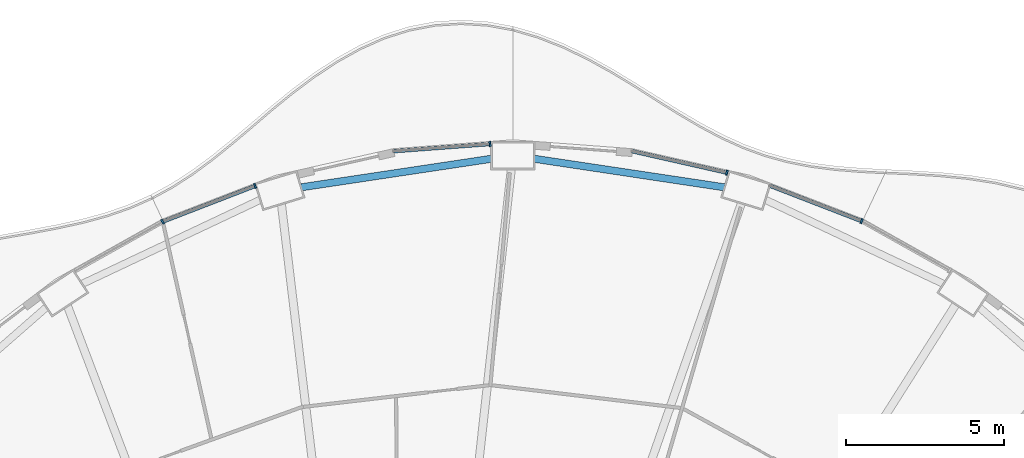
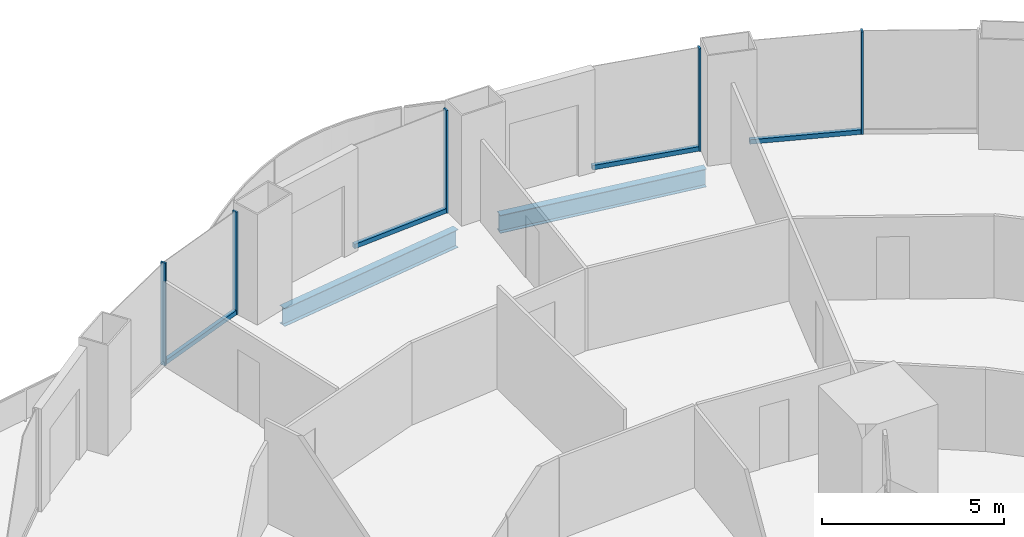
# One storey, part 11 of 22: 9 members, 2 beams, 5 elements without a shape of their own.
"""IFC4 building model written with IfcOpenShell, lengths in metres."""

from ifc_helpers import new_model, si_unit, direction, frame, origin, origin_2d, place, context, subcontext, project, spatial, rectangle, i_section, extrude, material, layer, layer_set, material_profile, profile_set, type_object, element, aggregate, save


model = new_model("IFC4")

# Units and contexts
model_context = context("Model", 3, precision=1e-05, world=origin(), true_north=direction((0.0, 1.0)))
body_context = subcontext(model_context, "Body", "Model", "MODEL_VIEW")
ifc_project = project(units=[si_unit("LENGTHUNIT", "METRE"), si_unit("AREAUNIT", "SQUARE_METRE"), si_unit("VOLUMEUNIT", "CUBIC_METRE"), si_unit("PLANEANGLEUNIT", "RADIAN"), si_unit("MASSUNIT", "GRAM", prefix="KILO")], contexts=[model_context])

# Site, building, storey
site_placement = place(None, origin())
site = spatial("IfcSite", under=ifc_project, at=site_placement, CompositionType="ELEMENT")
building_placement = place(site_placement, origin())
building = spatial("IfcBuilding", under=site, at=building_placement, Name="Nagisa Residences", CompositionType="ELEMENT")
storey_placement = place(building_placement, frame((0.0, 0.0, 41.800048828125)))
storey = spatial("IfcBuildingStorey", under=building, at=storey_placement, Name="L09", CompositionType="ELEMENT", Elevation=41.800048828125)

# Curtain wall, member
ifc_material_1 = material(Name="Concrete-coloured aluminium curtain wall system", Category="concrete")
ifc_layer = layer(ifc_material_1, 0.159912109375)
ifc_layer_set = layer_set([ifc_layer], Name="CW1 CURTAIN WALL")
curtain_wall_type = type_object("IfcCurtainWallType", Name="CW1 CURTAIN WALL", PredefinedType="NOTDEFINED", material=ifc_layer_set)
curtain_wall_1_placement = place(storey_placement, origin())
curtain_wall_1 = element("IfcCurtainWall", 1, at=curtain_wall_1_placement, inside=storey, type_object=curtain_wall_type, Name="cw:CW1:L09:09", PredefinedType="NOTDEFINED")
ifc_material_2 = material(Name="Concrete-coloured aluminium", Category="concrete")
ifc_material_profile_1 = material_profile(ifc_material_2, rectangle(XDim=0.159912109375, YDim=0.06005859375, at=origin_2d()), Name="CW1 MULLION 160x60")
ifc_profile_set_1 = profile_set([ifc_material_profile_1], Name="Concrete-coloured aluminium")
member_type_1 = type_object("IfcMemberType", Name="CW1 MULLION 160x60", PredefinedType="MULLION", material=ifc_profile_set_1)
member_1_placement = place(storey_placement, frame((14.64111328125, 30.42431640625, 0.0), z_axis=(0.0, 0.0, 1.0), x_axis=(-0.360327770268, -0.932825759707, 0.0)))
member_1 = element("IfcMember", 2, at=member_1_placement, type_object=member_type_1, Name="CW1 mullion", PredefinedType="MULLION", context=body_context, shape_type="SweptSolid", body=[
    extrude(rectangle(XDim=0.159912109375, YDim=0.06005859375, at=origin_2d()), origin(), (0.0, 0.0, 1.0), 3.43994140625),
])

curtain_wall_2_placement = place(storey_placement, origin())
curtain_wall_2 = element("IfcCurtainWall", 3, at=curtain_wall_2_placement, inside=storey, type_object=curtain_wall_type, Name="cw:CW1:L09:10", PredefinedType="NOTDEFINED")
member_2_placement = place(storey_placement, frame((10.376220703125, 31.958740234375, 0.0), z_axis=(0.0, 0.0, 1.0), x_axis=(-0.2207639201, -0.975327274089, 0.0)))
member_2 = element("IfcMember", 4, at=member_2_placement, type_object=member_type_1, Name="CW1 mullion", PredefinedType="MULLION", context=body_context, shape_type="SweptSolid", body=[
    extrude(rectangle(XDim=0.159912109375, YDim=0.06005859375, at=origin_2d()), origin(), (0.0, 0.0, 1.0), 3.43994140625),
])

curtain_wall_3_placement = place(storey_placement, origin())
curtain_wall_3 = element("IfcCurtainWall", 5, at=curtain_wall_3_placement, inside=storey, type_object=curtain_wall_type, Name="cw:CW1:L09:12", PredefinedType="NOTDEFINED")
member_3_placement = place(storey_placement, frame((2.8779296875, 32.865966796875, 0.0), z_axis=(0.0, 0.0, 1.0), x_axis=(0.074377355493, -0.997230168512, 0.0)))
member_3 = element("IfcMember", 6, at=member_3_placement, type_object=member_type_1, Name="CW1 mullion", PredefinedType="MULLION", context=body_context, shape_type="SweptSolid", body=[
    extrude(rectangle(XDim=0.159912109375, YDim=0.06005859375, at=origin_2d()), origin(), (0.0, 0.0, 1.0), 3.43994140625),
])

curtain_wall_4_placement = place(storey_placement, origin())
curtain_wall_4 = element("IfcCurtainWall", 7, at=curtain_wall_4_placement, inside=storey, type_object=curtain_wall_type, Name="cw:CW1:L09:14", PredefinedType="NOTDEFINED")
member_4_placement = place(storey_placement, frame((-4.557861328125, 31.537841796875, 0.0), z_axis=(0.0, 0.0, 1.0), x_axis=(0.360327770268, -0.932825759707, 0.0)))
member_4 = element("IfcMember", 8, at=member_4_placement, type_object=member_type_1, Name="CW1 mullion", PredefinedType="MULLION", context=body_context, shape_type="SweptSolid", body=[
    extrude(rectangle(XDim=0.159912109375, YDim=0.06005859375, at=origin_2d()), origin(), (0.0, 0.0, 1.0), 3.43994140625),
])

curtain_wall_5_placement = place(storey_placement, origin())
curtain_wall_5 = element("IfcCurtainWall", 9, at=curtain_wall_5_placement, inside=storey, type_object=curtain_wall_type, Name="cw:CW1:L09:15", PredefinedType="NOTDEFINED")
member_5_placement = place(storey_placement, frame((-7.48486328125, 30.403564453125, 0.0), z_axis=(0.0, 0.0, 1.0), x_axis=(0.489376918501, -0.872072377523, 0.0)))
member_5 = element("IfcMember", 10, at=member_5_placement, type_object=member_type_1, Name="CW1 mullion", PredefinedType="MULLION", context=body_context, shape_type="SweptSolid", body=[
    extrude(rectangle(XDim=0.159912109375, YDim=0.06005859375, at=origin_2d()), origin(), (0.0, 0.0, 1.0), 3.43994140625),
])
aggregate(curtain_wall_5, [member_5])

# Member
ifc_material_3 = material(Name="Concrete-coloured aluminium", Category="concrete")
ifc_material_profile_2 = material_profile(ifc_material_3, rectangle(XDim=0.1201171875, YDim=0.14990234375, at=origin_2d()), Name="CW1 TRANSOM 120x150")
ifc_profile_set_2 = profile_set([ifc_material_profile_2], Name="Concrete-coloured aluminium")
member_type_2 = type_object("IfcMemberType", Name="CW1 TRANSOM 120x150", PredefinedType="USERDEFINED", material=ifc_profile_set_2)
member_6_placement = place(storey_placement, frame((14.6689453125, 30.413330078125, 0.074951171875), z_axis=(-0.932825366452, 0.360328788337, 0.0), x_axis=(-0.360328788337, -0.932825366452, 0.0)))
member_6 = element("IfcMember", 11, at=member_6_placement, type_object=member_type_2, Name="CW1 transom", ObjectType="TRANSOM", PredefinedType="USERDEFINED", context=body_context, shape_type="SweptSolid", body=[
    extrude(rectangle(XDim=0.1201171875, YDim=0.14990234375, at=origin_2d()), origin(), (0.0, 0.0, 1.0), 3.150634765625),
])

aggregate(curtain_wall_1, [member_1, member_6])

member_7_placement = place(storey_placement, frame((10.4052734375, 31.9521484375, 0.074951171875), z_axis=(-0.975331134677, 0.220746863466, 0.0), x_axis=(-0.220746863466, -0.975331134677, 0.0)))
member_7 = element("IfcMember", 12, at=member_7_placement, type_object=member_type_2, Name="CW1 transom", ObjectType="TRANSOM", PredefinedType="USERDEFINED", context=body_context, shape_type="SweptSolid", body=[
    extrude(rectangle(XDim=0.1201171875, YDim=0.14990234375, at=origin_2d()), origin(), (0.0, 0.0, 1.0), 3.114501953125),
])

aggregate(curtain_wall_2, [member_2, member_7])

member_8_placement = place(storey_placement, frame((2.907958984375, 32.8681640625, 0.074951171875), z_axis=(-0.997230834878, -0.074368420505, 0.0), x_axis=(0.074368420505, -0.997230834878, 0.0)))
member_8 = element("IfcMember", 13, at=member_8_placement, type_object=member_type_2, Name="CW1 transom", ObjectType="TRANSOM", PredefinedType="USERDEFINED", context=body_context, shape_type="SweptSolid", body=[
    extrude(rectangle(XDim=0.1201171875, YDim=0.14990234375, at=origin_2d()), origin(), (0.0, 0.0, 1.0), 3.095703125),
])

aggregate(curtain_wall_3, [member_3, member_8])

member_9_placement = place(storey_placement, frame((-4.52978515625, 31.548583984375, 0.074951171875), z_axis=(-0.932835426425, -0.360302743822, 0.0), x_axis=(0.360302743822, -0.932835426425, 0.0)))
member_9 = element("IfcMember", 14, at=member_9_placement, type_object=member_type_2, Name="CW1 transom", ObjectType="TRANSOM", PredefinedType="USERDEFINED", context=body_context, shape_type="SweptSolid", body=[
    extrude(rectangle(XDim=0.1201171875, YDim=0.14990234375, at=origin_2d()), origin(), (0.0, 0.0, 1.0), 3.15087890625),
])

aggregate(curtain_wall_4, [member_4, member_9])

# Beams
ifc_material_4 = material(Name="Steel ASTM A572 Gr 50", Category="steel")
ifc_material_profile_3 = material_profile(ifc_material_4, i_section(OverallWidth=0.22802734375, OverallDepth=0.60302734375, WebThickness=0.010498046875, FlangeThickness=0.014892578125, at=origin_2d()), Name="W610x101")
ifc_profile_set_3 = profile_set([ifc_material_profile_3], Name="Steel ASTM A572 Gr 50")
beam_type = type_object("IfcBeamType", Name="Perimeter ring beam W610x101", PredefinedType="BEAM", material=ifc_profile_set_3)
for number, where, z_axis, x_axis, name in (
    (15, (10.29638671875, 31.49462890625, -0.5615234375), (-0.988914559467, 0.14848566959, 0.0), (-0.14848566959, -0.988914559467, 0.0), "beam:L09:pb06"),
    (16, (2.919677734375, 32.39794921875, -0.5615234375), (-0.988914559467, -0.14848566959, 0.0), (0.14848566959, -0.988914559467, 0.0), "beam:L09:pb07"),
):
    element("IfcBeam", number, at=place(storey_placement, frame(where, z_axis=z_axis, x_axis=x_axis)), inside=storey, type_object=beam_type, Name=name, PredefinedType="BEAM", context=body_context, shape_type="SweptSolid", body=[
        extrude(i_section(OverallWidth=0.22802734375, OverallDepth=0.60302734375, WebThickness=0.010498046875, FlangeThickness=0.014892578125, at=origin_2d()), origin(), (0.0, 0.0, 1.0), 6.08349609375),
    ])

save(model, "model.ifc")
